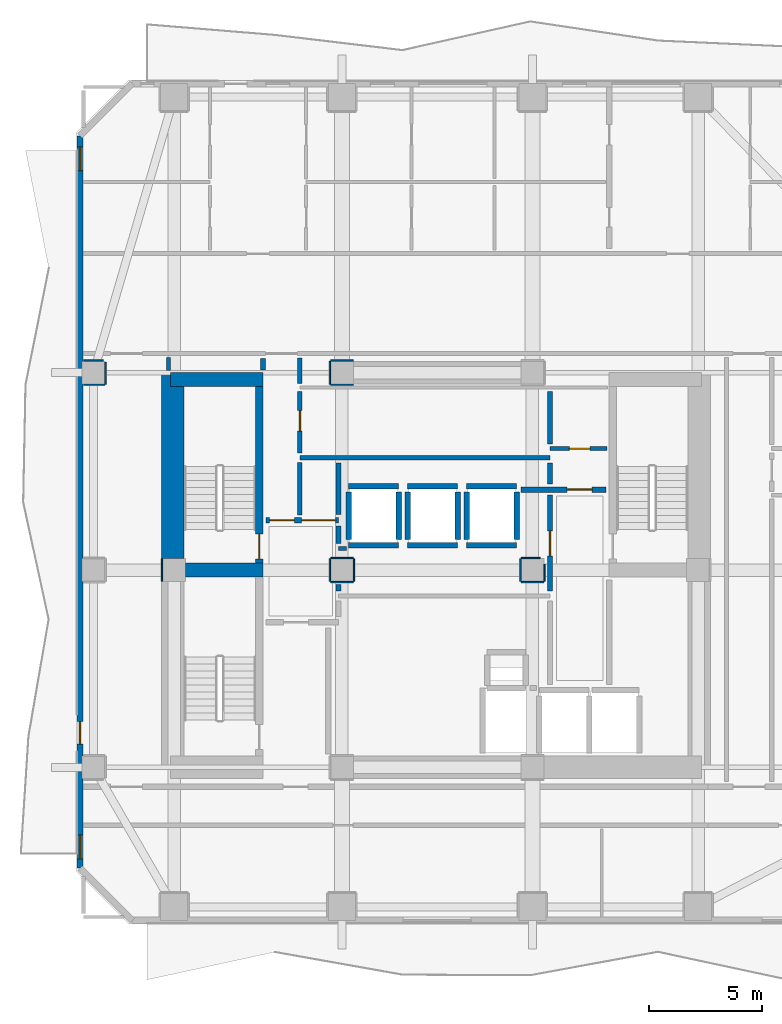
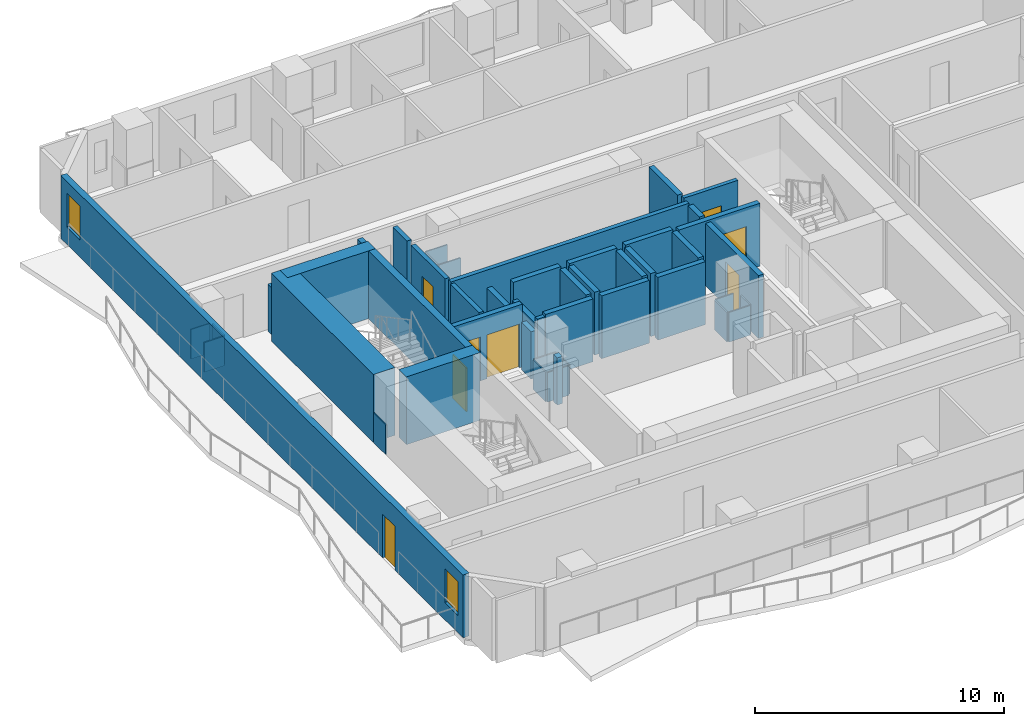
# One storey, part 3 of 11: 48 walls, 8 doors, 2 windows, 10 openings.
"""IFC4 building model written with IfcOpenShell, lengths in metres."""

import ifcopenshell
import ifcopenshell.guid

model = None  # the IFC model being written
_history = None  # IfcOwnerHistory: only IFC2X3 demands one
_inside = {}  # id of a spatial element -> (the spatial element, [elements in it])
_under = {}  # id of a project, library or spatial element -> (it, [spatial elements below it])
_declared = {}  # id of a project -> (the project, [libraries it declares])
_typed = {}  # id of a type object -> (the type object, [elements of that type])
_made_of = {}  # id of a material, layer set ... -> (it, [elements and type objects made of it])


def new_model(schema):
    """Start an empty IFC model of exactly this schema.

    Asked for "IFC4X3", IfcOpenShell would pick the latest addendum, in which some entities
    have other attributes; the version numbers below select the first issue.
    IFC2X3 requires an IfcOwnerHistory on every rooted entity: one is made here for all.
    """
    global model, _history
    if schema == "IFC4X3":
        model = ifcopenshell.file(schema_version=(4, 3, 0, 0))
    else:
        model = ifcopenshell.file(schema=schema)
    _inside.clear()
    _under.clear()
    _declared.clear()
    _typed.clear()
    _made_of.clear()
    _history = None
    if model.schema == "IFC2X3":
        org = make("IfcOrganization", Name="unknown")
        user = make(
            "IfcPersonAndOrganization",
            ThePerson=make("IfcPerson", FamilyName="unknown"),
            TheOrganization=org,
        )
        app = make(
            "IfcApplication",
            ApplicationDeveloper=org,
            Version="unknown",
            ApplicationFullName="unknown",
            ApplicationIdentifier="unknown",
        )
        _history = make(
            "IfcOwnerHistory",
            OwningUser=user,
            OwningApplication=app,
            ChangeAction="ADDED",
            CreationDate=0,
        )
    return model


def make(cls, **values):
    """One entity of the class cls with the attributes given. An attribute that is None is left unset."""
    return model.create_entity(
        cls, **{name: value for name, value in values.items() if value is not None}
    )


def rooted(cls, **values):
    """An entity with a GlobalId (a new one), such as an element, a storey or a relation."""
    return make(cls, GlobalId=ifcopenshell.guid.new(), OwnerHistory=_history, **values)


def si_unit(unit_type, name, prefix=None):
    """IfcSIUnit, for example si_unit("LENGTHUNIT", "METRE", prefix="MILLI")."""
    return make("IfcSIUnit", UnitType=unit_type, Prefix=prefix, Name=name)


def assignment(units):
    """IfcUnitAssignment: the units of a project."""
    return None if units is None else make("IfcUnitAssignment", Units=units)


def point(xyz):
    """IfcCartesianPoint."""
    return None if xyz is None else make("IfcCartesianPoint", Coordinates=xyz)


def direction(xyz):
    """IfcDirection."""
    return None if xyz is None else make("IfcDirection", DirectionRatios=xyz)


def frame(location, z_axis=None, x_axis=None):
    """IfcAxis2Placement3D, a coordinate frame: its origin and axes. An axis left out is left unset."""
    return make(
        "IfcAxis2Placement3D",
        Location=point(location),
        Axis=direction(z_axis),
        RefDirection=direction(x_axis),
    )


def frame_2d(location, x_axis=None):
    """IfcAxis2Placement2D, a coordinate frame in the plane: its origin and x axis."""
    return make(
        "IfcAxis2Placement2D", Location=point(location), RefDirection=direction(x_axis)
    )


def origin():
    """The frame at (0, 0, 0) with its axes left unset."""
    return frame((0.0, 0.0, 0.0))


def place(relative_to, where):
    """IfcLocalPlacement: puts the frame where relative to a parent placement (None: the world)."""
    return make(
        "IfcLocalPlacement", PlacementRelTo=relative_to, RelativePlacement=where
    )


def context(
    kind, dimensions, precision=None, world=None, true_north=None, identifier=None
):
    """IfcGeometricRepresentationContext, for example the 3D "Model" context."""
    return make(
        "IfcGeometricRepresentationContext",
        ContextIdentifier=identifier,
        ContextType=kind,
        CoordinateSpaceDimension=dimensions,
        Precision=precision,
        WorldCoordinateSystem=world,
        TrueNorth=true_north,
    )


def subcontext(parent, identifier, kind, view, scale=None):
    """IfcGeometricRepresentationSubContext, for example "Body" below "Model"."""
    return make(
        "IfcGeometricRepresentationSubContext",
        ContextIdentifier=identifier,
        ContextType=kind,
        ParentContext=parent,
        TargetScale=scale,
        TargetView=view,
    )


def project(units=None, contexts=None):
    """IfcProject with its units and contexts."""
    return rooted(
        "IfcProject",
        Name="project",
        RepresentationContexts=contexts,
        UnitsInContext=assignment(units),
    )


def spatial(cls, under=None, at=None, **own):
    """A site, building, storey or space (cls), placed at a placement, below another one or the project."""
    s = rooted(cls, ObjectPlacement=at, **own)
    if under is not None:
        _under.setdefault(under.id(), (under, []))[1].append(s)
    return s


def profile(cls, at=None, kind="AREA", **sizes):
    """A parametric profile (cls). Its sizes go by their IFC names, for example OverallWidth=200.0."""
    return make(cls, ProfileType=kind, Position=at, **sizes)


def rectangle(**sizes):
    """IfcRectangleProfileDef."""
    return profile("IfcRectangleProfileDef", **sizes)


def extrude(swept, where, along, depth):
    """IfcExtrudedAreaSolid: the profile swept, set in the frame where, extruded along a direction by depth."""
    return make(
        "IfcExtrudedAreaSolid",
        SweptArea=swept,
        Position=where,
        ExtrudedDirection=direction(along),
        Depth=depth,
    )


def shape(context_of_items, identifier, shape_type, items):
    """IfcShapeRepresentation: the items that make up one representation, for example the "Body"."""
    return make(
        "IfcShapeRepresentation",
        ContextOfItems=context_of_items,
        RepresentationIdentifier=identifier,
        RepresentationType=shape_type,
        Items=items,
    )


def material(Name=None, Category=None):
    """IfcMaterial."""
    return make("IfcMaterial", Name=Name, Category=Category)


def layer(
    of_material, thickness, ventilated=None, Name=None, Category=None, Priority=None
):
    """IfcMaterialLayer: one layer of a wall or slab, of a material (None: an air gap)."""
    return make(
        "IfcMaterialLayer",
        Material=of_material,
        LayerThickness=thickness,
        IsVentilated=ventilated,
        Name=Name,
        Category=Category,
        Priority=Priority,
    )


def layer_set(layers, Name=None):
    """IfcMaterialLayerSet."""
    return make("IfcMaterialLayerSet", MaterialLayers=layers, LayerSetName=Name)


def made_of(thing, what):
    """Note that an element or type object is made of a material, layer set ...; save() writes the relation."""
    if what is not None:
        _made_of.setdefault(what.id(), (what, []))[1].append(thing)
    return thing


def type_object(cls, material=None, **own):
    """A type object (cls), such as IfcWallType, which elements share."""
    return made_of(rooted(cls, **own), material)


def element(
    cls,
    number,
    at=None,
    inside=None,
    cuts=None,
    type_object=None,
    material=None,
    context=None,
    identifier="Body",
    shape_type=None,
    held_by="IfcProductDefinitionShape",
    body=None,
    shapes=None,
    **own,
):
    """One element of the class cls, such as IfcWall. Its Tag is "e" and its number.

    at: its placement. inside: the storey or other place that contains it. cuts: it is an
    opening in that element (IfcRelVoidsElement). A single representation is given by context,
    identifier, shape_type and body (its items); several are given by shapes. held_by: the class
    of the entity that holds the representations. save() writes the other relations.
    """
    e = rooted(cls, Tag="e%d" % number, ObjectPlacement=at, **own)
    if body is not None:
        shapes = [shape(context, identifier, shape_type, body)]
    if shapes is not None:
        e.Representation = make(held_by, Representations=shapes)
    if inside is not None:
        _inside.setdefault(inside.id(), (inside, []))[1].append(e)
    if cuts is not None:
        rooted(
            "IfcRelVoidsElement", RelatingBuildingElement=cuts, RelatedOpeningElement=e
        )
    if type_object is not None:
        _typed.setdefault(type_object.id(), (type_object, []))[1].append(e)
    return made_of(e, material)


def fill(opening, filler):
    """IfcRelFillsElement: the door or window that sits in an opening."""
    return rooted(
        "IfcRelFillsElement",
        RelatingOpeningElement=opening,
        RelatedBuildingElement=filler,
    )


def aggregate(whole, parts):
    """IfcRelAggregates: a whole, such as a stair, and the parts it consists of."""
    return rooted("IfcRelAggregates", RelatingObject=whole, RelatedObjects=parts)


def save(model, path):
    """Write the relations noted so far, then the file.

    IfcRelAggregates (storeys below a building ...), IfcRelContainedInSpatialStructure (elements
    in a storey), IfcRelDefinesByType, IfcRelAssociatesMaterial and IfcRelDeclares: one each for
    every whole, place, type object, material and project.
    """
    for whole, parts in _under.values():
        aggregate(whole, parts)
    for where, things in _inside.values():
        rooted(
            "IfcRelContainedInSpatialStructure",
            RelatedElements=things,
            RelatingStructure=where,
        )
    for kind, things in _typed.values():
        rooted("IfcRelDefinesByType", RelatedObjects=things, RelatingType=kind)
    for what, things in _made_of.values():
        rooted("IfcRelAssociatesMaterial", RelatedObjects=things, RelatingMaterial=what)
    for by, libraries in _declared.values():
        rooted("IfcRelDeclares", RelatingContext=by, RelatedDefinitions=libraries)
    model.write(path)


model = new_model("IFC4")

# Units and contexts
model_context = context("Model", 3, precision=1e-05, world=origin(), true_north=direction((0.0, 1.0)))
body_context = subcontext(model_context, "Body", "Model", "MODEL_VIEW")
ifc_project = project(units=[si_unit("LENGTHUNIT", "METRE"), si_unit("AREAUNIT", "SQUARE_METRE"), si_unit("VOLUMEUNIT", "CUBIC_METRE"), si_unit("PLANEANGLEUNIT", "RADIAN"), si_unit("MASSUNIT", "GRAM", prefix="KILO")], contexts=[model_context])

# Site, building, storey
site_placement = place(None, origin())
site = spatial("IfcSite", under=ifc_project, at=site_placement, CompositionType="ELEMENT")
building_placement = place(site_placement, origin())
building = spatial("IfcBuilding", under=site, at=building_placement, Name="Solanera Arch Residences", CompositionType="ELEMENT")
storey_placement = place(building_placement, frame((0.0, 0.0, 159.199951171875)))
storey = spatial("IfcBuildingStorey", under=building, at=storey_placement, Name="L46", CompositionType="ELEMENT", Elevation=159.199951171875)

# Walls
ifc_material_1 = material(Name="Fire-Rated Gypsum Stud Partition", Category="gypsum")
ifc_layer_1 = layer(ifc_material_1, 0.06005859375)
ifc_layer_set_1 = layer_set([ifc_layer_1], Name="Fire-Rated Gypsum Stud Partition")
wall_type_1 = type_object("IfcWallType", Name="Column Acoustic Furring Wall 60", PredefinedType="PARTITIONING", material=ifc_layer_set_1)
for number, where, z_axis, x_axis, name in (
    (1, (20.300048828125, 38.867919921875, 0.0), (0.0, 0.0, 1.0), (1.0, 0.0, 0.0), "L46 Column Furring 3S"),
    (2, (20.300048828125, 39.931884765625, 0.0), (0.0, 0.0, 1.0), (1.0, 0.0, 0.0), "L46 Column Furring 3N"),
    (3, (20.26806640625, 38.89990234375, 0.0), (0.0, 0.0, 1.0), (0.0, 1.0, 0.0), "L46 Column Furring 3W"),
):
    element("IfcWall", number, at=place(storey_placement, frame(where, z_axis=z_axis, x_axis=x_axis)), inside=storey, type_object=wall_type_1, Name=name, PredefinedType="PARTITIONING", context=body_context, shape_type="SweptSolid", body=[
        extrude(rectangle(XDim=1.0, YDim=0.06005859375, at=frame_2d((0.5, 0.0))), origin(), (0.0, 0.0, 1.0), 1.449951171875),
    ])
wall_1_placement = place(storey_placement, frame((12.867919921875, 30.2099609375, 0.0), z_axis=(0.0, 0.0, 1.0), x_axis=(0.0, 1.0, 0.0)))
element("IfcWall", 4, at=wall_1_placement, inside=storey, type_object=wall_type_1, Name="L46 Column Furring 5W", PredefinedType="PARTITIONING", context=body_context, shape_type="SweptSolid", body=[
    extrude(rectangle(XDim=0.97998046875, YDim=0.06005859375, at=frame_2d((0.489990234375, 0.0))), origin(), (0.0, 0.0, 1.0), 1.449951171875),
])
for number, where, z_axis, x_axis, name in (
    (5, (20.300048828125, 30.16796875, 0.0), (0.0, 0.0, 1.0), (1.0, 0.0, 0.0), "L46 Column Furring 7S"),
    (6, (20.300048828125, 31.23193359375, 0.0), (0.0, 0.0, 1.0), (1.0, 0.0, 0.0), "L46 Column Furring 7N"),
    (7, (20.26806640625, 30.199951171875, 0.0), (0.0, 0.0, 1.0), (0.0, 1.0, 0.0), "L46 Column Furring 7W"),
    (8, (21.33203125, 30.199951171875, 0.0), (0.0, 0.0, 1.0), (0.0, 1.0, 0.0), "L46 Column Furring 7E"),
    (9, (28.699951171875, 30.16796875, 0.0), (0.0, 0.0, 1.0), (1.0, 0.0, 0.0), "L46 Column Furring 8S"),
):
    element("IfcWall", number, at=place(storey_placement, frame(where, z_axis=z_axis, x_axis=x_axis)), inside=storey, type_object=wall_type_1, Name=name, PredefinedType="PARTITIONING", context=body_context, shape_type="SweptSolid", body=[
        extrude(rectangle(XDim=1.0, YDim=0.06005859375, at=frame_2d((0.5, 0.0))), origin(), (0.0, 0.0, 1.0), 1.449951171875),
    ])
wall_2_placement = place(storey_placement, frame((28.699951171875, 31.23193359375, 0.0), z_axis=(0.0, 0.0, 1.0), x_axis=(1.0, 0.0, 0.0)))
element("IfcWall", 10, at=wall_2_placement, inside=storey, type_object=wall_type_1, Name="L46 Column Furring 8N", PredefinedType="PARTITIONING", context=body_context, shape_type="SweptSolid", body=[
    extrude(rectangle(XDim=0.8349609375, YDim=0.06005859375, at=frame_2d((0.41748046875, 0.0))), origin(), (0.0, 0.0, 1.0), 1.449951171875),
])
wall_3_placement = place(storey_placement, frame((28.66796875, 30.199951171875, 0.0), z_axis=(0.0, 0.0, 1.0), x_axis=(0.0, 1.0, 0.0)))
element("IfcWall", 11, at=wall_3_placement, inside=storey, type_object=wall_type_1, Name="L46 Column Furring 8W", PredefinedType="PARTITIONING", context=body_context, shape_type="SweptSolid", body=[
    extrude(rectangle(XDim=1.0, YDim=0.06005859375, at=frame_2d((0.5, 0.0))), origin(), (0.0, 0.0, 1.0), 1.449951171875),
])
wall_4_placement = place(storey_placement, frame((29.73193359375, 30.199951171875, 0.0), z_axis=(0.0, 0.0, 1.0), x_axis=(0.0, 1.0, 0.0)))
element("IfcWall", 12, at=wall_4_placement, inside=storey, type_object=wall_type_1, Name="L46 Column Furring 8E", PredefinedType="PARTITIONING", context=body_context, shape_type="SweptSolid", body=[
    extrude(rectangle(XDim=0.7470703125, YDim=0.06005859375, at=frame_2d((0.37353515625, 0.0))), origin(), (0.0, 0.0, 1.0), 1.449951171875),
])
wall_5_placement = place(storey_placement, frame((9.409912109375, 38.867919921875, 0.0), z_axis=(0.0, 0.0, 1.0), x_axis=(1.0, 0.0, 0.0)))
element("IfcWall", 13, at=wall_5_placement, inside=storey, type_object=wall_type_1, Name="L46 Column Furring 21S", PredefinedType="PARTITIONING", context=body_context, shape_type="SweptSolid", body=[
    extrude(rectangle(XDim=0.940185546875, YDim=0.06005859375, at=frame_2d((0.47021484375, 0.0))), origin(), (0.0, 0.0, 1.0), 1.449951171875),
])
wall_6_placement = place(storey_placement, frame((9.409912109375, 39.931884765625, 0.0), z_axis=(0.0, 0.0, 1.0), x_axis=(1.0, 0.0, 0.0)))
element("IfcWall", 14, at=wall_6_placement, inside=storey, type_object=wall_type_1, Name="L46 Column Furring 21N", PredefinedType="PARTITIONING", context=body_context, shape_type="SweptSolid", body=[
    extrude(rectangle(XDim=0.87109375, YDim=0.06005859375, at=frame_2d((0.435546875, 0.0))), origin(), (0.0, 0.0, 1.0), 1.449951171875),
])
wall_7_placement = place(storey_placement, frame((10.382080078125, 38.89990234375, 0.0), z_axis=(0.0, 0.0, 1.0), x_axis=(0.0, 1.0, 0.0)))
element("IfcWall", 15, at=wall_7_placement, inside=storey, type_object=wall_type_1, Name="L46 Column Furring 21E", PredefinedType="PARTITIONING", context=body_context, shape_type="SweptSolid", body=[
    extrude(rectangle(XDim=0.9560546875, YDim=0.06005859375, at=frame_2d((0.47802734375, 0.0))), origin(), (0.0, 0.0, 1.0), 1.449951171875),
])
ifc_material_2 = material(Name="Concrete C55/67 (f'c = 60 MPa)", Category="concrete")
ifc_layer_2 = layer(ifc_material_2, 1.0)
ifc_layer_set_2 = layer_set([ifc_layer_2], Name="Concrete C55/67 (f'c = 60 MPa)")
wall_type_2 = type_object("IfcWallType", Name="Core Shear Wall CW-1000", PredefinedType="SHEAR", material=ifc_layer_set_2)
wall_8_placement = place(storey_placement, frame((13.340087890625, 31.205078125, 0.0), z_axis=(0.0, 0.0, 1.0), x_axis=(0.0, 1.0, 0.0)))
element("IfcWall", 16, at=wall_8_placement, inside=storey, type_object=wall_type_2, Name="L46 West Core North Shear Wall", PredefinedType="SHEAR", context=body_context, shape_type="SweptSolid", body=[
    extrude(rectangle(XDim=8.19482421875, YDim=1.0, at=frame_2d((4.097412109375, 0.0))), origin(), (0.0, 0.0, 1.0), 3.320068359375),
])

# Wall, opening, door
ifc_material_3 = material(Name="Concrete C40/50 (f'c = 45 MPa)", Category="concrete")
ifc_layer_3 = layer(ifc_material_3, 0.320068359375)
ifc_layer_set_3 = layer_set([ifc_layer_3], Name="Concrete C40/50 (f'c = 45 MPa)")
wall_type_3 = type_object("IfcWallType", Name="Core Shear Wall CW-320", PredefinedType="SHEAR", material=ifc_layer_set_3)
wall_9_placement = place(storey_placement, frame((17.159912109375, 31.0, 0.0), z_axis=(0.0, 0.0, 1.0), x_axis=(0.0, 1.0, 0.0)))
wall_9 = element("IfcWall", 17, at=wall_9_placement, inside=storey, type_object=wall_type_3, Name="L46 Stair ST-T1 East Shear Wall", PredefinedType="SHEAR", context=body_context, shape_type="SweptSolid", body=[
    extrude(rectangle(XDim=7.800048828125, YDim=0.320068359375, at=frame_2d((3.89990234375, 0.0))), origin(), (0.0, 0.0, 1.0), 3.320068359375),
])
opening_1_placement = place(wall_9_placement, frame((0.18994140625, 0.0, 0.0)))
opening_1 = element("IfcOpeningElement", 18, at=opening_1_placement, cuts=wall_9, Name="Opening DF-01", PredefinedType="OPENING", context=body_context, shape_type="SweptSolid", body=[
    extrude(rectangle(XDim=1.10009765625, YDim=2.14990234375, at=frame_2d((0.550048828125, 1.074951171875))), frame((0.0, 0.169921875, 0.0), z_axis=(0.0, -1.0, 0.0), x_axis=(1.0, 0.0, 0.0)), (0.0, 0.0, 1.0), 0.3401),
])
ifc_material_4 = material(Name="Fire-Rated Architectural Hardwood", Category="wood")
door_type_1 = type_object("IfcDoorType", Name="Stair Exit Fire Door DF-01", OperationType="NOTDEFINED", PredefinedType="DOOR", material=ifc_material_4)
door_1_placement = place(opening_1_placement, origin())
door_1 = element("IfcDoor", 19, at=door_1_placement, inside=storey, type_object=door_type_1, Name="DR-L46-STAIR-ST-T1", OperationType="SINGLE_SWING_RIGHT", OverallHeight=2.14990234375, OverallWidth=1.10009765625, PredefinedType="DOOR", context=body_context, shape_type="SweptSolid", body=[
    extrude(rectangle(XDim=1.10009765625, YDim=2.14990234375, at=frame_2d((0.550048828125, 1.074951171875))), frame((0.0, 0.02490234375, 0.0), z_axis=(0.0, -1.0, 0.0), x_axis=(1.0, 0.0, 0.0)), (0.0, 0.0, 1.0), 0.050048828125),
])
fill(opening_1, door_1)

# Walls
ifc_material_5 = material(Name="Concrete C40/50 (f'c = 45 MPa)", Category="concrete")
ifc_layer_4 = layer(ifc_material_5, 0.60009765625)
ifc_layer_set_4 = layer_set([ifc_layer_4], Name="Concrete C40/50 (f'c = 45 MPa)")
wall_type_4 = type_object("IfcWallType", Name="Core Shear Wall CW-600", PredefinedType="SHEAR", material=ifc_layer_set_4)
wall_10_placement = place(storey_placement, frame((13.239990234375, 39.10009765625, 0.0), z_axis=(0.0, 0.0, 1.0), x_axis=(1.0, 0.0, 0.0)))
element("IfcWall", 20, at=wall_10_placement, inside=storey, type_object=wall_type_4, Name="L46 North-West Core Shear Wall", PredefinedType="SHEAR", context=body_context, shape_type="SweptSolid", body=[
    extrude(rectangle(XDim=4.080078125, YDim=0.60009765625, at=frame_2d((2.0400390625, 0.0))), origin(), (0.0, 0.0, 1.0), 3.320068359375),
])
wall_11_placement = place(storey_placement, frame((13.905029296875, 30.699951171875, 0.0), z_axis=(0.0, 0.0, 1.0), x_axis=(1.0, 0.0, 0.0)))
element("IfcWall", 21, at=wall_11_placement, inside=storey, type_object=wall_type_4, Name="L46 West Stair Divider Shear Wall", PredefinedType="SHEAR", context=body_context, shape_type="SweptSolid", body=[
    extrude(rectangle(XDim=3.4150390625, YDim=0.60009765625, at=frame_2d((1.70751953125, 0.0))), origin(), (0.0, 0.0, 1.0), 3.320068359375),
])
ifc_material_6 = material(Name="Autoclaved Aerated Concrete Blockwork", Category="masonry")
ifc_layer_5 = layer(ifc_material_6, 0.179931640625)
ifc_layer_set_5 = layer_set([ifc_layer_5], Name="Autoclaved Aerated Concrete Blockwork")
wall_type_5 = type_object("IfcWallType", Name="Corridor Fire Partition 180", PredefinedType="PARTITIONING", material=ifc_layer_set_5)
wall_12_placement = place(storey_placement, frame((20.64990234375, 31.64990234375, 0.0), z_axis=(0.0, 0.0, 1.0), x_axis=(1.0, 0.0, 0.0)))
element("IfcWall", 22, at=wall_12_placement, inside=storey, type_object=wall_type_5, Name="L46 Interior Partition H9", PredefinedType="PARTITIONING", context=body_context, shape_type="SweptSolid", body=[
    extrude(rectangle(XDim=0.357177734375, YDim=0.179931640625, at=frame_2d((0.1787109375, 0.0))), origin(), (0.0, 0.0, 1.0), 3.080078125),
])

# Wall, opening, door
wall_13_placement = place(storey_placement, frame((29.97509765625, 36.050048828125, 0.0), z_axis=(0.0, 0.0, 1.0), x_axis=(1.0, 0.0, 0.0)))
wall_13 = element("IfcWall", 23, at=wall_13_placement, inside=storey, type_object=wall_type_5, Name="L46 Interior Partition H10", PredefinedType="PARTITIONING", context=body_context, shape_type="SweptSolid", body=[
    extrude(rectangle(XDim=2.5048828125, YDim=0.179931640625, at=frame_2d((1.25244140625, 0.0))), origin(), (0.0, 0.0, 1.0), 3.080078125),
])
opening_2_placement = place(wall_13_placement, frame((0.85205078125, 0.0, 0.0)))
opening_2 = element("IfcOpeningElement", 24, at=opening_2_placement, cuts=wall_13, Name="Opening DI-02", PredefinedType="OPENING", context=body_context, shape_type="SweptSolid", body=[
    extrude(rectangle(XDim=0.89990234375, YDim=2.10009765625, at=frame_2d((0.449951171875, 1.050048828125))), frame((0.0, 0.10009765625, 0.0), z_axis=(0.0, -1.0, 0.0), x_axis=(1.0, 0.0, 0.0)), (0.0, 0.0, 1.0), 0.1999),
])
ifc_material_7 = material(Name="Fire-Rated Architectural Hardwood", Category="wood")
door_type_2 = type_object("IfcDoorType", Name="Suite Room Swing Door DI-02", OperationType="NOTDEFINED", PredefinedType="DOOR", material=ifc_material_7)
door_2_placement = place(opening_2_placement, origin())
door_2 = element("IfcDoor", 25, at=door_2_placement, inside=storey, type_object=door_type_2, Name="DR-L46-IN-015", OperationType="SINGLE_SWING_RIGHT", OverallHeight=2.10009765625, OverallWidth=0.89990234375, PredefinedType="DOOR", context=body_context, shape_type="SweptSolid", body=[
    extrude(rectangle(XDim=0.89990234375, YDim=2.10009765625, at=frame_2d((0.449951171875, 1.050048828125))), frame((0.0, 0.02490234375, 0.0), z_axis=(0.0, -1.0, 0.0), x_axis=(1.0, 0.0, 0.0)), (0.0, 0.0, 1.0), 0.050048828125),
])
fill(opening_2, door_2)

# Wall
wall_14_placement = place(storey_placement, frame((13.14990234375, 39.5, 0.0), z_axis=(0.0, 0.0, 1.0), x_axis=(0.0, 1.0, 0.0)))
element("IfcWall", 26, at=wall_14_placement, inside=storey, type_object=wall_type_5, Name="L46 Interior Partition V9", PredefinedType="PARTITIONING", context=body_context, shape_type="SweptSolid", body=[
    extrude(rectangle(XDim=0.56201171875, YDim=0.179931640625, at=frame_2d((0.281005859375, 0.0))), origin(), (0.0, 0.0, 1.0), 2.31494140625),
])

# Wall, openings, door, windows
ifc_material_8 = material(Name="Precast Concrete C35/45", Category="concrete")
ifc_layer_6 = layer(ifc_material_8, 0.280029296875)
ifc_layer_set_6 = layer_set([ifc_layer_6], Name="Precast Concrete C35/45")
wall_type_6 = type_object("IfcWallType", Name="Exterior Wall Precast Masonry-Frame 280", PredefinedType="STANDARD", material=ifc_layer_set_6)
wall_15_placement = place(storey_placement, frame((9.2548828125, 17.554931640625, 0.0), z_axis=(0.0, 0.0, 1.0), x_axis=(0.0, 1.0, 0.0)))
wall_15 = element("IfcWall", 27, at=wall_15_placement, inside=storey, type_object=wall_type_6, Name="L46 Tower Exterior Precast Masonry-Frame Wall W", PredefinedType="STANDARD", context=body_context, shape_type="SweptSolid", body=[
    extrude(rectangle(XDim=32.2900390625, YDim=0.280029296875, at=frame_2d((16.14501953125, 0.0))), origin(), (0.0, 0.0, 1.0), 3.080078125),
])
opening_3_placement = place(wall_15_placement, frame((5.467041015625, 0.0, 0.0)))
opening_3 = element("IfcOpeningElement", 28, at=opening_3_placement, cuts=wall_15, Name="Opening DB-01", PredefinedType="OPENING", context=body_context, shape_type="SweptSolid", body=[
    extrude(rectangle(XDim=1.0, YDim=2.14990234375, at=frame_2d((0.5, 1.074951171875))), frame((0.0, 0.14990234375, 0.0), z_axis=(0.0, -1.0, 0.0), x_axis=(1.0, 0.0, 0.0)), (0.0, 0.0, 1.0), 0.3),
])
opening_4_placement = place(wall_15_placement, frame((0.4169921875, 0.0, 0.85009765625)))
opening_4 = element("IfcOpeningElement", 29, at=opening_4_placement, cuts=wall_15, Name="Opening W-07", PredefinedType="OPENING", context=body_context, shape_type="SweptSolid", body=[
    extrude(rectangle(XDim=1.050048828125, YDim=1.64990234375, at=frame_2d((0.52490234375, 0.824951171875))), frame((0.0, 0.14990234375, 0.0), z_axis=(0.0, -1.0, 0.0), x_axis=(1.0, 0.0, 0.0)), (0.0, 0.0, 1.0), 0.3),
])
opening_5_placement = place(wall_15_placement, frame((30.7529296875, 0.0, 0.85009765625)))
opening_5 = element("IfcOpeningElement", 30, at=opening_5_placement, cuts=wall_15, Name="Opening W-07", PredefinedType="OPENING", context=body_context, shape_type="SweptSolid", body=[
    extrude(rectangle(XDim=1.050048828125, YDim=1.64990234375, at=frame_2d((0.52490234375, 0.824951171875))), frame((0.0, 0.14990234375, 0.0), z_axis=(0.0, -1.0, 0.0), x_axis=(1.0, 0.0, 0.0)), (0.0, 0.0, 1.0), 0.3),
])
ifc_material_9 = material(Name="Anodised Aluminium Alloy 6063-T6", Category="aluminium")
door_type_3 = type_object("IfcDoorType", Name="Glazed Balcony Swing Door DB-01", OperationType="NOTDEFINED", PredefinedType="DOOR", material=ifc_material_9)
door_3_placement = place(opening_3_placement, origin())
door_3 = element("IfcDoor", 31, at=door_3_placement, inside=storey, type_object=door_type_3, Name="DR-L46-OUT-04", OperationType="SINGLE_SWING_LEFT", OverallHeight=2.14990234375, OverallWidth=1.0, PredefinedType="DOOR", context=body_context, shape_type="SweptSolid", body=[
    extrude(rectangle(XDim=1.0, YDim=2.14990234375, at=frame_2d((0.5, 1.074951171875))), frame((0.0, 0.02490234375, 0.0), z_axis=(0.0, -1.0, 0.0), x_axis=(1.0, 0.0, 0.0)), (0.0, 0.0, 1.0), 0.050048828125),
])
fill(opening_3, door_3)
ifc_material_10 = material(Name="Double Glazed Low-E Laminated Glass", Category="glass")
window_type = type_object("IfcWindowType", Name="Punched Window W-07", PartitioningType="SINGLE_PANEL", PredefinedType="WINDOW", material=ifc_material_10)
window_1_placement = place(opening_4_placement, origin())
window_1 = element("IfcWindow", 32, at=window_1_placement, inside=storey, type_object=window_type, Name="L46 AMN-LNG Punched Window", OverallHeight=1.64990234375, OverallWidth=1.050048828125, PartitioningType="SINGLE_PANEL", PredefinedType="WINDOW", context=body_context, shape_type="SweptSolid", body=[
    extrude(rectangle(XDim=1.050048828125, YDim=1.64990234375, at=frame_2d((0.52490234375, 0.824951171875))), frame((0.0, 0.030029296875, 0.0), z_axis=(0.0, -1.0, 0.0), x_axis=(1.0, 0.0, 0.0)), (0.0, 0.0, 1.0), 0.06005859375),
])
fill(opening_4, window_1)
window_2_placement = place(opening_5_placement, origin())
window_2 = element("IfcWindow", 33, at=window_2_placement, inside=storey, type_object=window_type, Name="L46 4601-BR1 Punched Window", OverallHeight=1.64990234375, OverallWidth=1.050048828125, PartitioningType="SINGLE_PANEL", PredefinedType="WINDOW", context=body_context, shape_type="SweptSolid", body=[
    extrude(rectangle(XDim=1.050048828125, YDim=1.64990234375, at=frame_2d((0.52490234375, 0.824951171875))), frame((0.0, 0.030029296875, 0.0), z_axis=(0.0, -1.0, 0.0), x_axis=(1.0, 0.0, 0.0)), (0.0, 0.0, 1.0), 0.06005859375),
])
fill(opening_5, window_2)

# Walls
ifc_material_11 = material(Name="Autoclaved Aerated Concrete Blockwork", Category="masonry")
ifc_layer_7 = layer(ifc_material_11, 0.199951171875)
ifc_layer_set_7 = layer_set([ifc_layer_7], Name="Autoclaved Aerated Concrete Blockwork")
wall_type_7 = type_object("IfcWallType", Name="Party Wall Acoustic 200", PredefinedType="PARTITIONING", material=ifc_layer_set_7)
wall_16_placement = place(storey_placement, frame((18.949951171875, 35.64990234375, 0.0), z_axis=(0.0, 0.0, 1.0), x_axis=(1.0, 0.0, 0.0)))
element("IfcWall", 34, at=wall_16_placement, inside=storey, type_object=wall_type_7, Name="L46 Interior Partition H6", PredefinedType="PARTITIONING", context=body_context, shape_type="SweptSolid", body=[
    extrude(rectangle(XDim=11.025146484375, YDim=0.199951171875, at=frame_2d((5.5126953125, 0.0))), origin(), (0.0, 0.0, 1.0), 3.080078125),
])
wall_17_placement = place(storey_placement, frame((18.949951171875, 33.1279296875, 0.0), z_axis=(0.0, 0.0, 1.0), x_axis=(0.0, 1.0, 0.0)))
element("IfcWall", 35, at=wall_17_placement, inside=storey, type_object=wall_type_7, Name="L46 Interior Partition V7 1", PredefinedType="PARTITIONING", context=body_context, shape_type="SweptSolid", body=[
    extrude(rectangle(XDim=2.31396484375, YDim=0.199951171875, at=frame_2d((1.156982421875, 0.0))), origin(), (0.0, 0.0, 1.0), 3.080078125),
])

# Wall, opening, door
wall_18_placement = place(storey_placement, frame((18.949951171875, 35.85791015625, 0.0), z_axis=(0.0, 0.0, 1.0), x_axis=(0.0, 1.0, 0.0)))
wall_18 = element("IfcWall", 36, at=wall_18_placement, inside=storey, type_object=wall_type_7, Name="L46 Interior Partition V7 2", PredefinedType="PARTITIONING", context=body_context, shape_type="SweptSolid", body=[
    extrude(rectangle(XDim=2.72412109375, YDim=0.199951171875, at=frame_2d((1.362060546875, 0.0))), origin(), (0.0, 0.0, 1.0), 3.080078125),
])
opening_6_placement = place(wall_18_placement, frame((0.967041015625, 0.0, 0.0)))
opening_6 = element("IfcOpeningElement", 37, at=opening_6_placement, cuts=wall_18, Name="Opening DI-02", PredefinedType="OPENING", context=body_context, shape_type="SweptSolid", body=[
    extrude(rectangle(XDim=0.89990234375, YDim=2.10009765625, at=frame_2d((0.449951171875, 1.050048828125))), frame((0.0, 0.110107421875, 0.0), z_axis=(0.0, -1.0, 0.0), x_axis=(1.0, 0.0, 0.0)), (0.0, 0.0, 1.0), 0.22),
])
door_4_placement = place(opening_6_placement, origin())
door_4 = element("IfcDoor", 38, at=door_4_placement, inside=storey, type_object=door_type_2, Name="DR-L46-IN-016", OperationType="SINGLE_SWING_LEFT", OverallHeight=2.10009765625, OverallWidth=0.89990234375, PredefinedType="DOOR", context=body_context, shape_type="SweptSolid", body=[
    extrude(rectangle(XDim=0.89990234375, YDim=2.10009765625, at=frame_2d((0.449951171875, 1.050048828125))), frame((0.0, 0.02490234375, 0.0), z_axis=(0.0, -1.0, 0.0), x_axis=(1.0, 0.0, 0.0)), (0.0, 0.0, 1.0), 0.050048828125),
])
fill(opening_6, door_4)

# Walls
wall_19_placement = place(storey_placement, frame((18.949951171875, 38.91796875, 0.0), z_axis=(0.0, 0.0, 1.0), x_axis=(0.0, 1.0, 0.0)))
element("IfcWall", 39, at=wall_19_placement, inside=storey, type_object=wall_type_7, Name="L46 Interior Partition V7 3", PredefinedType="PARTITIONING", context=body_context, shape_type="SweptSolid", body=[
    extrude(rectangle(XDim=1.134033203125, YDim=0.199951171875, at=frame_2d((0.56689453125, 0.0))), origin(), (0.0, 0.0, 1.0), 3.080078125),
])
ifc_material_12 = material(Name="Autoclaved Aerated Concrete Blockwork", Category="masonry")
ifc_layer_8 = layer(ifc_material_12, 0.239990234375)
ifc_layer_set_8 = layer_set([ifc_layer_8], Name="Autoclaved Aerated Concrete Blockwork")
wall_type_8 = type_object("IfcWallType", Name="Shaft Wall Fire-Rated 240", PredefinedType="PARTITIONING", material=ifc_layer_set_8)
for number, where, z_axis, x_axis, name in (
    (40, (21.10009765625, 31.800048828125, 0.0), (0.0, 0.0, 1.0), (1.0, 0.0, 0.0), "L46 Lift PL-M1 Hoistway Wall S"),
    (41, (21.10009765625, 34.39990234375, 0.0), (0.0, 0.0, 1.0), (1.0, 0.0, 0.0), "L46 Lift PL-M1 Hoistway Wall N"),
):
    element("IfcWall", number, at=place(storey_placement, frame(where, z_axis=z_axis, x_axis=x_axis)), inside=storey, type_object=wall_type_8, Name=name, PredefinedType="PARTITIONING", context=body_context, shape_type="SweptSolid", body=[
        extrude(rectangle(XDim=2.199951171875, YDim=0.239990234375, at=frame_2d((1.10009765625, 0.0))), origin(), (0.0, 0.0, 1.0), 3.080078125),
    ])
wall_20_placement = place(storey_placement, frame((21.10009765625, 32.048095703125, 0.0), z_axis=(0.0, 0.0, 1.0), x_axis=(0.0, 1.0, 0.0)))
element("IfcWall", 42, at=wall_20_placement, inside=storey, type_object=wall_type_8, Name="L46 Lift PL-M1 Hoistway Wall W", PredefinedType="PARTITIONING", context=body_context, shape_type="SweptSolid", body=[
    extrude(rectangle(XDim=2.10400390625, YDim=0.239990234375, at=frame_2d((1.052001953125, 0.0))), origin(), (0.0, 0.0, 1.0), 2.31494140625),
])
wall_21_placement = place(storey_placement, frame((23.300048828125, 32.048095703125, 0.0), z_axis=(0.0, 0.0, 1.0), x_axis=(0.0, 1.0, 0.0)))
element("IfcWall", 43, at=wall_21_placement, inside=storey, type_object=wall_type_8, Name="L46 Lift PL-M1 Hoistway Wall E", PredefinedType="PARTITIONING", context=body_context, shape_type="SweptSolid", body=[
    extrude(rectangle(XDim=2.10400390625, YDim=0.239990234375, at=frame_2d((1.052001953125, 0.0))), origin(), (0.0, 0.0, 1.0), 3.080078125),
])
for number, where, z_axis, x_axis, name in (
    (44, (23.699951171875, 31.800048828125, 0.0), (0.0, 0.0, 1.0), (1.0, 0.0, 0.0), "L46 Lift PL-M2 Hoistway Wall S"),
    (45, (23.699951171875, 34.39990234375, 0.0), (0.0, 0.0, 1.0), (1.0, 0.0, 0.0), "L46 Lift PL-M2 Hoistway Wall N"),
):
    element("IfcWall", number, at=place(storey_placement, frame(where, z_axis=z_axis, x_axis=x_axis)), inside=storey, type_object=wall_type_8, Name=name, PredefinedType="PARTITIONING", context=body_context, shape_type="SweptSolid", body=[
        extrude(rectangle(XDim=2.199951171875, YDim=0.239990234375, at=frame_2d((1.10009765625, 0.0))), origin(), (0.0, 0.0, 1.0), 3.080078125),
    ])
for number, where, z_axis, x_axis, name in (
    (46, (23.699951171875, 32.048095703125, 0.0), (0.0, 0.0, 1.0), (0.0, 1.0, 0.0), "L46 Lift PL-M2 Hoistway Wall W"),
    (47, (25.89990234375, 32.048095703125, 0.0), (0.0, 0.0, 1.0), (0.0, 1.0, 0.0), "L46 Lift PL-M2 Hoistway Wall E"),
):
    element("IfcWall", number, at=place(storey_placement, frame(where, z_axis=z_axis, x_axis=x_axis)), inside=storey, type_object=wall_type_8, Name=name, PredefinedType="PARTITIONING", context=body_context, shape_type="SweptSolid", body=[
        extrude(rectangle(XDim=2.10400390625, YDim=0.239990234375, at=frame_2d((1.052001953125, 0.0))), origin(), (0.0, 0.0, 1.0), 3.080078125),
    ])
for number, where, z_axis, x_axis, name in (
    (48, (26.300048828125, 31.800048828125, 0.0), (0.0, 0.0, 1.0), (1.0, 0.0, 0.0), "L46 Lift PL-M3 Hoistway Wall S"),
    (49, (26.300048828125, 34.39990234375, 0.0), (0.0, 0.0, 1.0), (1.0, 0.0, 0.0), "L46 Lift PL-M3 Hoistway Wall N"),
):
    element("IfcWall", number, at=place(storey_placement, frame(where, z_axis=z_axis, x_axis=x_axis)), inside=storey, type_object=wall_type_8, Name=name, PredefinedType="PARTITIONING", context=body_context, shape_type="SweptSolid", body=[
        extrude(rectangle(XDim=2.199951171875, YDim=0.239990234375, at=frame_2d((1.10009765625, 0.0))), origin(), (0.0, 0.0, 1.0), 3.080078125),
    ])
for number, where, z_axis, x_axis, name in (
    (50, (26.300048828125, 32.048095703125, 0.0), (0.0, 0.0, 1.0), (0.0, 1.0, 0.0), "L46 Lift PL-M3 Hoistway Wall W"),
    (51, (28.5, 32.048095703125, 0.0), (0.0, 0.0, 1.0), (0.0, 1.0, 0.0), "L46 Lift PL-M3 Hoistway Wall E"),
):
    element("IfcWall", number, at=place(storey_placement, frame(where, z_axis=z_axis, x_axis=x_axis)), inside=storey, type_object=wall_type_8, Name=name, PredefinedType="PARTITIONING", context=body_context, shape_type="SweptSolid", body=[
        extrude(rectangle(XDim=2.10400390625, YDim=0.239990234375, at=frame_2d((1.052001953125, 0.0))), origin(), (0.0, 0.0, 1.0), 3.080078125),
    ])

# Wall, openings, doors
wall_22_placement = place(storey_placement, frame((17.449951171875, 32.89990234375, 0.0), z_axis=(0.0, 0.0, 1.0), x_axis=(1.0, 0.0, 0.0)))
wall_22 = element("IfcWall", 52, at=wall_22_placement, inside=storey, type_object=wall_type_8, Name="L46 Interior Partition H4", PredefinedType="PARTITIONING", context=body_context, shape_type="SweptSolid", body=[
    extrude(rectangle(XDim=3.199951171875, YDim=0.239990234375, at=frame_2d((1.60009765625, 0.0))), origin(), (0.0, 0.0, 1.0), 3.080078125),
])
opening_7_placement = place(wall_22_placement, frame((0.158935546875, 0.0, 0.0)))
opening_7 = element("IfcOpeningElement", 53, at=opening_7_placement, cuts=wall_22, Name="Opening DF-02", PredefinedType="OPENING", context=body_context, shape_type="SweptSolid", body=[
    extrude(rectangle(XDim=1.10009765625, YDim=2.14990234375, at=frame_2d((0.550048828125, 1.074951171875))), frame((0.0, 0.1298828125, 0.0), z_axis=(0.0, -1.0, 0.0), x_axis=(1.0, 0.0, 0.0)), (0.0, 0.0, 1.0), 0.26),
])
opening_8_placement = place(wall_22_placement, frame((1.575927734375, 0.0, 0.0)))
opening_8 = element("IfcOpeningElement", 54, at=opening_8_placement, cuts=wall_22, Name="Opening DP-01", PredefinedType="OPENING", context=body_context, shape_type="SweptSolid", body=[
    extrude(rectangle(XDim=1.5, YDim=2.14990234375, at=frame_2d((0.75, 1.074951171875))), frame((0.0, 0.1298828125, 0.0), z_axis=(0.0, -1.0, 0.0), x_axis=(1.0, 0.0, 0.0)), (0.0, 0.0, 1.0), 0.26),
])
ifc_material_13 = material(Name="Fire-Rated Architectural Hardwood", Category="wood")
door_type_4 = type_object("IfcDoorType", Name="Firefighting Lobby Fire Door DF-02", OperationType="NOTDEFINED", PredefinedType="DOOR", material=ifc_material_13)
door_5_placement = place(opening_7_placement, origin())
door_5 = element("IfcDoor", 55, at=door_5_placement, inside=storey, type_object=door_type_4, Name="DR-L46-IN-005", OperationType="SINGLE_SWING_RIGHT", OverallHeight=2.14990234375, OverallWidth=1.10009765625, PredefinedType="DOOR", context=body_context, shape_type="SweptSolid", body=[
    extrude(rectangle(XDim=1.10009765625, YDim=2.14990234375, at=frame_2d((0.550048828125, 1.074951171875))), frame((0.0, 0.02490234375, 0.0), z_axis=(0.0, -1.0, 0.0), x_axis=(1.0, 0.0, 0.0)), (0.0, 0.0, 1.0), 0.050048828125),
])
fill(opening_7, door_5)
ifc_material_14 = material(Name="Fire-Rated Architectural Hardwood", Category="wood")
door_type_5 = type_object("IfcDoorType", Name="Plant Double Fire Door DP-01", OperationType="NOTDEFINED", PredefinedType="DOOR", material=ifc_material_14)
door_6_placement = place(opening_8_placement, origin())
door_6 = element("IfcDoor", 56, at=door_6_placement, inside=storey, type_object=door_type_5, Name="DR-L46-IN-014", OperationType="SINGLE_SWING_LEFT", OverallHeight=2.14990234375, OverallWidth=1.5, PredefinedType="DOOR", context=body_context, shape_type="SweptSolid", body=[
    extrude(rectangle(XDim=1.5, YDim=2.14990234375, at=frame_2d((0.75, 1.074951171875))), frame((0.0, 0.02490234375, 0.0), z_axis=(0.0, -1.0, 0.0), x_axis=(1.0, 0.0, 0.0)), (0.0, 0.0, 1.0), 0.050048828125),
])
fill(opening_8, door_6)

# Wall, opening, door
wall_23_placement = place(storey_placement, frame((28.701904296875, 34.25, 0.0), z_axis=(0.0, 0.0, 1.0), x_axis=(1.0, 0.0, 0.0)))
wall_23 = element("IfcWall", 57, at=wall_23_placement, inside=storey, type_object=wall_type_8, Name="L46 Interior Partition H5", PredefinedType="PARTITIONING", context=body_context, shape_type="SweptSolid", body=[
    extrude(rectangle(XDim=3.748046875, YDim=0.239990234375, at=frame_2d((1.8740234375, 0.0))), origin(), (0.0, 0.0, 1.0), 3.080078125),
])
opening_9_placement = place(wall_23_placement, frame((2.02490234375, 0.0, 0.0)))
opening_9 = element("IfcOpeningElement", 58, at=opening_9_placement, cuts=wall_23, Name="Opening DF-02", PredefinedType="OPENING", context=body_context, shape_type="SweptSolid", body=[
    extrude(rectangle(XDim=1.10009765625, YDim=2.14990234375, at=frame_2d((0.550048828125, 1.074951171875))), frame((0.0, 0.1298828125, 0.0), z_axis=(0.0, -1.0, 0.0), x_axis=(1.0, 0.0, 0.0)), (0.0, 0.0, 1.0), 0.26),
])
door_7_placement = place(opening_9_placement, origin())
door_7 = element("IfcDoor", 59, at=door_7_placement, inside=storey, type_object=door_type_4, Name="DR-L46-IN-007", OperationType="SINGLE_SWING_RIGHT", OverallHeight=2.14990234375, OverallWidth=1.10009765625, PredefinedType="DOOR", context=body_context, shape_type="SweptSolid", body=[
    extrude(rectangle(XDim=1.10009765625, YDim=2.14990234375, at=frame_2d((0.550048828125, 1.074951171875))), frame((0.0, 0.02490234375, 0.0), z_axis=(0.0, -1.0, 0.0), x_axis=(1.0, 0.0, 0.0)), (0.0, 0.0, 1.0), 0.050048828125),
])
fill(opening_9, door_7)

# Walls
wall_24_placement = place(storey_placement, frame((17.320068359375, 39.530029296875, 0.0), z_axis=(0.0, 0.0, 1.0), x_axis=(0.0, 1.0, 0.0)))
element("IfcWall", 60, at=wall_24_placement, inside=storey, type_object=wall_type_8, Name="L46 Interior Partition V1", PredefinedType="PARTITIONING", context=body_context, shape_type="SweptSolid", body=[
    extrude(rectangle(XDim=0.501953125, YDim=0.239990234375, at=frame_2d((0.2509765625, 0.0))), origin(), (0.0, 0.0, 1.0), 3.080078125),
])
wall_25_placement = place(storey_placement, frame((20.64990234375, 29.76806640625, 0.0), z_axis=(0.0, 0.0, 1.0), x_axis=(0.0, 1.0, 0.0)))
element("IfcWall", 61, at=wall_25_placement, inside=storey, type_object=wall_type_8, Name="L46 Interior Partition V3 2", PredefinedType="PARTITIONING", context=body_context, shape_type="SweptSolid", body=[
    extrude(rectangle(XDim=0.300048828125, YDim=0.239990234375, at=frame_2d((0.14990234375, 0.0))), origin(), (0.0, 0.0, 1.0), 2.31494140625),
])
wall_26_placement = place(storey_placement, frame((20.64990234375, 31.867919921875, 0.0), z_axis=(0.0, 0.0, 1.0), x_axis=(0.0, 1.0, 0.0)))
element("IfcWall", 62, at=wall_26_placement, inside=storey, type_object=wall_type_8, Name="L46 Interior Partition V3 3", PredefinedType="PARTITIONING", context=body_context, shape_type="SweptSolid", body=[
    extrude(rectangle(XDim=0.7841796875, YDim=0.239990234375, at=frame_2d((0.39208984375, 0.0))), origin(), (0.0, 0.0, 1.0), 2.31494140625),
])
wall_27_placement = place(storey_placement, frame((20.64990234375, 33.14794921875, 0.0), z_axis=(0.0, 0.0, 1.0), x_axis=(0.0, 1.0, 0.0)))
element("IfcWall", 63, at=wall_27_placement, inside=storey, type_object=wall_type_8, Name="L46 Interior Partition V3 4", PredefinedType="PARTITIONING", context=body_context, shape_type="SweptSolid", body=[
    extrude(rectangle(XDim=2.274169921875, YDim=0.239990234375, at=frame_2d((1.13720703125, 0.0))), origin(), (0.0, 0.0, 1.0), 2.31494140625),
])

# Wall, opening, door
wall_28_placement = place(storey_placement, frame((29.97509765625, 29.76806640625, 0.0), z_axis=(0.0, 0.0, 1.0), x_axis=(0.0, 1.0, 0.0)))
wall_28 = element("IfcWall", 64, at=wall_28_placement, inside=storey, type_object=wall_type_8, Name="L46 Interior Partition V4 2", PredefinedType="PARTITIONING", context=body_context, shape_type="SweptSolid", body=[
    extrude(rectangle(XDim=4.23388671875, YDim=0.239990234375, at=frame_2d((2.116943359375, 0.0))), origin(), (0.0, 0.0, 1.0), 3.080078125),
])
opening_10_placement = place(wall_28_placement, frame((1.556884765625, 0.0, 0.0)))
opening_10 = element("IfcOpeningElement", 65, at=opening_10_placement, cuts=wall_28, Name="Opening DF-02", PredefinedType="OPENING", context=body_context, shape_type="SweptSolid", body=[
    extrude(rectangle(XDim=1.10009765625, YDim=2.14990234375, at=frame_2d((0.550048828125, 1.074951171875))), frame((0.0, 0.1298828125, 0.0), z_axis=(0.0, -1.0, 0.0), x_axis=(1.0, 0.0, 0.0)), (0.0, 0.0, 1.0), 0.26),
])
door_8_placement = place(opening_10_placement, origin())
door_8 = element("IfcDoor", 66, at=door_8_placement, inside=storey, type_object=door_type_4, Name="DR-L46-IN-006", OperationType="SINGLE_SWING_LEFT", OverallHeight=2.14990234375, OverallWidth=1.10009765625, PredefinedType="DOOR", context=body_context, shape_type="SweptSolid", body=[
    extrude(rectangle(XDim=1.10009765625, YDim=2.14990234375, at=frame_2d((0.550048828125, 1.074951171875))), frame((0.0, 0.02490234375, 0.0), z_axis=(0.0, -1.0, 0.0), x_axis=(1.0, 0.0, 0.0)), (0.0, 0.0, 1.0), 0.050048828125),
])
fill(opening_10, door_8)

# Walls
wall_29_placement = place(storey_placement, frame((29.97509765625, 34.498046875, 0.0), z_axis=(0.0, 0.0, 1.0), x_axis=(0.0, 1.0, 0.0)))
element("IfcWall", 67, at=wall_29_placement, inside=storey, type_object=wall_type_8, Name="L46 Interior Partition V4 3", PredefinedType="PARTITIONING", context=body_context, shape_type="SweptSolid", body=[
    extrude(rectangle(XDim=0.924072265625, YDim=0.239990234375, at=frame_2d((0.4619140625, 0.0))), origin(), (0.0, 0.0, 1.0), 3.080078125),
])
wall_30_placement = place(storey_placement, frame((29.97509765625, 36.26806640625, 0.0), z_axis=(0.0, 0.0, 1.0), x_axis=(0.0, 1.0, 0.0)))
element("IfcWall", 68, at=wall_30_placement, inside=storey, type_object=wall_type_8, Name="L46 Interior Partition V4 4", PredefinedType="PARTITIONING", context=body_context, shape_type="SweptSolid", body=[
    extrude(rectangle(XDim=2.2939453125, YDim=0.239990234375, at=frame_2d((1.14697265625, 0.0))), origin(), (0.0, 0.0, 1.0), 3.080078125),
])

save(model, "model.ifc")
